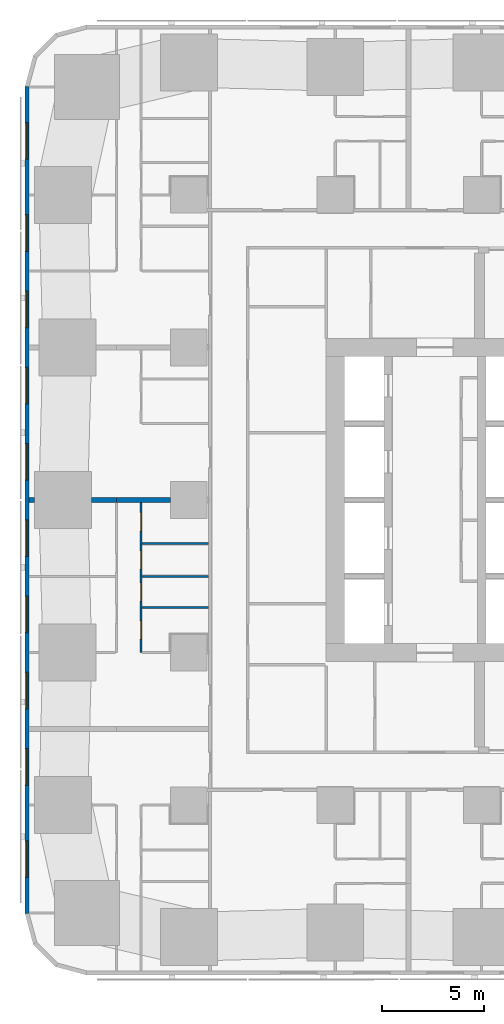
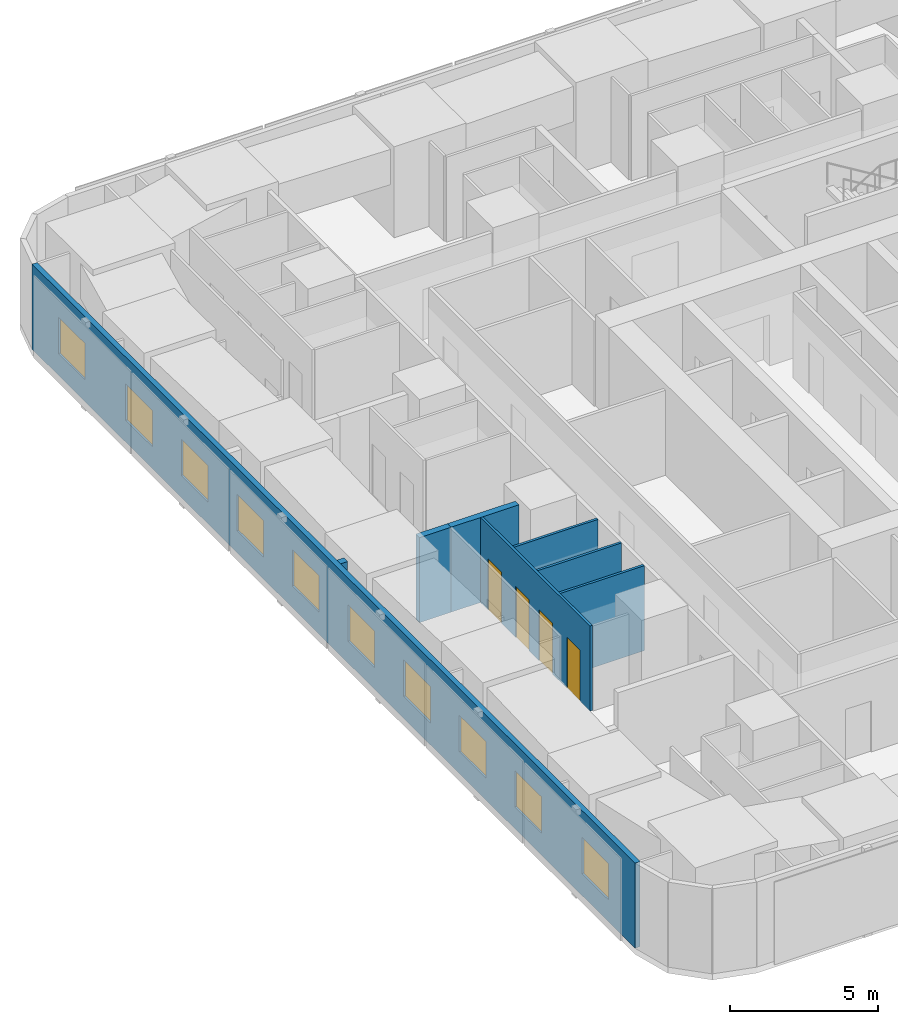
# One storey, part 4 of 16: 10 windows, 8 walls, 4 doors, 14 openings.
"""IFC4 building model written with IfcOpenShell, lengths in metres."""

from ifc_helpers import new_model, si_unit, direction, frame, frame_2d, origin, place, context, subcontext, project, spatial, rectangle, extrude, material, layer, layer_set, type_object, element, fill, save


model = new_model("IFC4")

# Units and contexts
model_context = context("Model", 3, precision=1e-05, world=origin(), true_north=direction((0.0, 1.0)))
body_context = subcontext(model_context, "Body", "Model", "MODEL_VIEW")
ifc_project = project(units=[si_unit("LENGTHUNIT", "METRE"), si_unit("AREAUNIT", "SQUARE_METRE"), si_unit("VOLUMEUNIT", "CUBIC_METRE"), si_unit("PLANEANGLEUNIT", "RADIAN"), si_unit("MASSUNIT", "GRAM", prefix="KILO")], contexts=[model_context])

# Site, building, storey
site_placement = place(None, origin())
site = spatial("IfcSite", under=ifc_project, at=site_placement, CompositionType="ELEMENT")
building_placement = place(site_placement, origin())
building = spatial("IfcBuilding", under=site, at=building_placement, Name="Sheger Commons Tower", CompositionType="ELEMENT")
storey_placement = place(building_placement, frame((0.0, 0.0, 61.25)))
storey = spatial("IfcBuildingStorey", under=building, at=storey_placement, Name="L15", CompositionType="ELEMENT", Elevation=61.25)

# Walls
ifc_material_1 = material(Name="Dense concrete block masonry, plastered both sides (separating wall between flats)", Category="masonry")
ifc_layer_1 = layer(ifc_material_1, 0.25)
ifc_layer_set_1 = layer_set([ifc_layer_1], Name="DEMISING WALL 250")
wall_type_1 = type_object("IfcWallType", Name="DEMISING WALL 250", PredefinedType="SOLIDWALL", material=ifc_layer_set_1)
wall_1_placement = place(storey_placement, frame((-0.64990234375, 22.5, 0.0), z_axis=(0.0, 0.0, 1.0), x_axis=(1.0, 0.0, 0.0)))
element("IfcWall", 1, at=wall_1_placement, inside=storey, type_object=wall_type_1, Name="Demising wall L15", PredefinedType="SOLIDWALL", context=body_context, shape_type="SweptSolid", body=[
    extrude(rectangle(XDim=0.27392578125, YDim=0.25, at=frame_2d((0.136962890625, 0.0))), origin(), (0.0, 0.0, 1.0), 3.5),
])
wall_2_placement = place(storey_placement, frame((2.426025390625, 22.5, 0.0), z_axis=(0.0, 0.0, 1.0), x_axis=(1.0, 0.0, 0.0)))
element("IfcWall", 2, at=wall_2_placement, inside=storey, type_object=wall_type_1, Name="Demising wall L15", PredefinedType="SOLIDWALL", context=body_context, shape_type="SweptSolid", body=[
    extrude(rectangle(XDim=1.223876953125, YDim=0.25, at=frame_2d((0.61181640625, 0.0))), origin(), (0.0, 0.0, 1.0), 3.5),
])
wall_3_placement = place(storey_placement, frame((3.64990234375, 22.5, 0.0), z_axis=(0.0, 0.0, 1.0), x_axis=(1.0, 0.0, 0.0)))
element("IfcWall", 3, at=wall_3_placement, inside=storey, type_object=wall_type_1, Name="Demising wall L15", PredefinedType="SOLIDWALL", context=body_context, shape_type="SweptSolid", body=[
    extrude(rectangle(XDim=2.649169921875, YDim=0.25, at=frame_2d((1.32470703125, 0.0))), origin(), (0.0, 0.0, 1.0), 3.5),
])

# Wall, openings, windows
ifc_material_2 = material(Name="Rendered concrete block masonry, dark grey", Category="masonry")
ifc_layer_2 = layer(ifc_material_2, 0.199951171875)
ifc_layer_set_2 = layer_set([ifc_layer_2], Name="FACADE WALL 200")
wall_type_2 = type_object("IfcWallType", Name="FACADE WALL 200", PredefinedType="SOLIDWALL", material=ifc_layer_set_2)
wall_4_placement = place(storey_placement, frame((-0.75, 42.8369140625, 0.0), z_axis=(0.0, 0.0, 1.0), x_axis=(0.0, -1.0, 0.0)))
wall_4 = element("IfcWall", 4, at=wall_4_placement, inside=storey, type_object=wall_type_2, Name="Facade wall L15", PredefinedType="SOLIDWALL", context=body_context, shape_type="SweptSolid", body=[
    extrude(rectangle(XDim=40.673828125, YDim=0.199951171875, at=frame_2d((20.3369140625, 0.0))), origin(), (0.0, 0.0, 1.0), 3.5),
])
opening_1_placement = place(wall_4_placement, frame((1.780029296875, 0.0, 0.89990234375)))
opening_1 = element("IfcOpeningElement", 5, at=opening_1_placement, cuts=wall_4, Name="Opening W2", PredefinedType="OPENING", context=body_context, shape_type="SweptSolid", body=[
    extrude(rectangle(XDim=1.800048828125, YDim=1.5, at=frame_2d((0.89990234375, 0.75))), frame((0.0, 0.10986328125, 0.0), z_axis=(0.0, -1.0, 0.0), x_axis=(1.0, 0.0, 0.0)), (0.0, 0.0, 1.0), 0.219970703125),
])
opening_2_placement = place(wall_4_placement, frame((6.31201171875, 0.0, 0.89990234375)))
opening_2 = element("IfcOpeningElement", 6, at=opening_2_placement, cuts=wall_4, Name="Opening W2", PredefinedType="OPENING", context=body_context, shape_type="SweptSolid", body=[
    extrude(rectangle(XDim=1.800048828125, YDim=1.5, at=frame_2d((0.89990234375, 0.75))), frame((0.0, 0.10986328125, 0.0), z_axis=(0.0, -1.0, 0.0), x_axis=(1.0, 0.0, 0.0)), (0.0, 0.0, 1.0), 0.219970703125),
])
opening_3_placement = place(wall_4_placement, frame((10.06201171875, 0.0, 0.89990234375)))
opening_3 = element("IfcOpeningElement", 7, at=opening_3_placement, cuts=wall_4, Name="Opening W2", PredefinedType="OPENING", context=body_context, shape_type="SweptSolid", body=[
    extrude(rectangle(XDim=1.800048828125, YDim=1.5, at=frame_2d((0.89990234375, 0.75))), frame((0.0, 0.10986328125, 0.0), z_axis=(0.0, -1.0, 0.0), x_axis=(1.0, 0.0, 0.0)), (0.0, 0.0, 1.0), 0.219970703125),
])
opening_4_placement = place(wall_4_placement, frame((13.81201171875, 0.0, 0.89990234375)))
opening_4 = element("IfcOpeningElement", 8, at=opening_4_placement, cuts=wall_4, Name="Opening W2", PredefinedType="OPENING", context=body_context, shape_type="SweptSolid", body=[
    extrude(rectangle(XDim=1.800048828125, YDim=1.5, at=frame_2d((0.89990234375, 0.75))), frame((0.0, 0.10986328125, 0.0), z_axis=(0.0, -1.0, 0.0), x_axis=(1.0, 0.0, 0.0)), (0.0, 0.0, 1.0), 0.219970703125),
])
opening_5_placement = place(wall_4_placement, frame((17.56201171875, 0.0, 0.89990234375)))
opening_5 = element("IfcOpeningElement", 9, at=opening_5_placement, cuts=wall_4, Name="Opening W2", PredefinedType="OPENING", context=body_context, shape_type="SweptSolid", body=[
    extrude(rectangle(XDim=1.800048828125, YDim=1.5, at=frame_2d((0.89990234375, 0.75))), frame((0.0, 0.10986328125, 0.0), z_axis=(0.0, -1.0, 0.0), x_axis=(1.0, 0.0, 0.0)), (0.0, 0.0, 1.0), 0.219970703125),
])
opening_6_placement = place(wall_4_placement, frame((21.31201171875, 0.0, 0.89990234375)))
opening_6 = element("IfcOpeningElement", 10, at=opening_6_placement, cuts=wall_4, Name="Opening W2", PredefinedType="OPENING", context=body_context, shape_type="SweptSolid", body=[
    extrude(rectangle(XDim=1.800048828125, YDim=1.5, at=frame_2d((0.89990234375, 0.75))), frame((0.0, 0.10986328125, 0.0), z_axis=(0.0, -1.0, 0.0), x_axis=(1.0, 0.0, 0.0)), (0.0, 0.0, 1.0), 0.219970703125),
])
opening_7_placement = place(wall_4_placement, frame((25.06201171875, 0.0, 0.89990234375)))
opening_7 = element("IfcOpeningElement", 11, at=opening_7_placement, cuts=wall_4, Name="Opening W2", PredefinedType="OPENING", context=body_context, shape_type="SweptSolid", body=[
    extrude(rectangle(XDim=1.800048828125, YDim=1.5, at=frame_2d((0.89990234375, 0.75))), frame((0.0, 0.10986328125, 0.0), z_axis=(0.0, -1.0, 0.0), x_axis=(1.0, 0.0, 0.0)), (0.0, 0.0, 1.0), 0.219970703125),
])
opening_8_placement = place(wall_4_placement, frame((28.81201171875, 0.0, 0.89990234375)))
opening_8 = element("IfcOpeningElement", 12, at=opening_8_placement, cuts=wall_4, Name="Opening W2", PredefinedType="OPENING", context=body_context, shape_type="SweptSolid", body=[
    extrude(rectangle(XDim=1.800048828125, YDim=1.5, at=frame_2d((0.89990234375, 0.75))), frame((0.0, 0.10986328125, 0.0), z_axis=(0.0, -1.0, 0.0), x_axis=(1.0, 0.0, 0.0)), (0.0, 0.0, 1.0), 0.219970703125),
])
opening_9_placement = place(wall_4_placement, frame((32.56201171875, 0.0, 0.89990234375)))
opening_9 = element("IfcOpeningElement", 13, at=opening_9_placement, cuts=wall_4, Name="Opening W2", PredefinedType="OPENING", context=body_context, shape_type="SweptSolid", body=[
    extrude(rectangle(XDim=1.800048828125, YDim=1.5, at=frame_2d((0.89990234375, 0.75))), frame((0.0, 0.10986328125, 0.0), z_axis=(0.0, -1.0, 0.0), x_axis=(1.0, 0.0, 0.0)), (0.0, 0.0, 1.0), 0.219970703125),
])
opening_10_placement = place(wall_4_placement, frame((37.093994140625, 0.0, 0.89990234375)))
opening_10 = element("IfcOpeningElement", 14, at=opening_10_placement, cuts=wall_4, Name="Opening W2", PredefinedType="OPENING", context=body_context, shape_type="SweptSolid", body=[
    extrude(rectangle(XDim=1.800048828125, YDim=1.5, at=frame_2d((0.89990234375, 0.75))), frame((0.0, 0.10986328125, 0.0), z_axis=(0.0, -1.0, 0.0), x_axis=(1.0, 0.0, 0.0)), (0.0, 0.0, 1.0), 0.219970703125),
])
ifc_material_3 = material(Name="Black aluminium frame, dark tinted double glazing", Category="aluminium")
window_type = type_object("IfcWindowType", Name="WINDOW W2 1800x1500", PartitioningType="SINGLE_PANEL", PredefinedType="WINDOW", material=ifc_material_3)
window_1_placement = place(opening_1_placement, origin())
window_1 = element("IfcWindow", 15, at=window_1_placement, inside=storey, type_object=window_type, Name="Window W2 1800X1500", OverallHeight=1.5, OverallWidth=1.800048828125, PartitioningType="SINGLE_PANEL", PredefinedType="WINDOW", context=body_context, shape_type="SweptSolid", body=[
    extrude(rectangle(XDim=1.800048828125, YDim=1.5, at=frame_2d((0.89990234375, 0.75))), frame((0.0, 0.030029296875, 0.0), z_axis=(0.0, -1.0, 0.0), x_axis=(1.0, 0.0, 0.0)), (0.0, 0.0, 1.0), 0.06005859375),
])
fill(opening_1, window_1)
window_2_placement = place(opening_2_placement, origin())
window_2 = element("IfcWindow", 16, at=window_2_placement, inside=storey, type_object=window_type, Name="Window W2 1800X1500", OverallHeight=1.5, OverallWidth=1.800048828125, PartitioningType="SINGLE_PANEL", PredefinedType="WINDOW", context=body_context, shape_type="SweptSolid", body=[
    extrude(rectangle(XDim=1.800048828125, YDim=1.5, at=frame_2d((0.89990234375, 0.75))), frame((0.0, 0.030029296875, 0.0), z_axis=(0.0, -1.0, 0.0), x_axis=(1.0, 0.0, 0.0)), (0.0, 0.0, 1.0), 0.06005859375),
])
fill(opening_2, window_2)
window_3_placement = place(opening_3_placement, origin())
window_3 = element("IfcWindow", 17, at=window_3_placement, inside=storey, type_object=window_type, Name="Window W2 1800X1500", OverallHeight=1.5, OverallWidth=1.800048828125, PartitioningType="SINGLE_PANEL", PredefinedType="WINDOW", context=body_context, shape_type="SweptSolid", body=[
    extrude(rectangle(XDim=1.800048828125, YDim=1.5, at=frame_2d((0.89990234375, 0.75))), frame((0.0, 0.030029296875, 0.0), z_axis=(0.0, -1.0, 0.0), x_axis=(1.0, 0.0, 0.0)), (0.0, 0.0, 1.0), 0.06005859375),
])
fill(opening_3, window_3)
window_4_placement = place(opening_4_placement, origin())
window_4 = element("IfcWindow", 18, at=window_4_placement, inside=storey, type_object=window_type, Name="Window W2 1800X1500", OverallHeight=1.5, OverallWidth=1.800048828125, PartitioningType="SINGLE_PANEL", PredefinedType="WINDOW", context=body_context, shape_type="SweptSolid", body=[
    extrude(rectangle(XDim=1.800048828125, YDim=1.5, at=frame_2d((0.89990234375, 0.75))), frame((0.0, 0.030029296875, 0.0), z_axis=(0.0, -1.0, 0.0), x_axis=(1.0, 0.0, 0.0)), (0.0, 0.0, 1.0), 0.06005859375),
])
fill(opening_4, window_4)
window_5_placement = place(opening_5_placement, origin())
window_5 = element("IfcWindow", 19, at=window_5_placement, inside=storey, type_object=window_type, Name="Window W2 1800X1500", OverallHeight=1.5, OverallWidth=1.800048828125, PartitioningType="SINGLE_PANEL", PredefinedType="WINDOW", context=body_context, shape_type="SweptSolid", body=[
    extrude(rectangle(XDim=1.800048828125, YDim=1.5, at=frame_2d((0.89990234375, 0.75))), frame((0.0, 0.030029296875, 0.0), z_axis=(0.0, -1.0, 0.0), x_axis=(1.0, 0.0, 0.0)), (0.0, 0.0, 1.0), 0.06005859375),
])
fill(opening_5, window_5)
window_6_placement = place(opening_6_placement, origin())
window_6 = element("IfcWindow", 20, at=window_6_placement, inside=storey, type_object=window_type, Name="Window W2 1800X1500", OverallHeight=1.5, OverallWidth=1.800048828125, PartitioningType="SINGLE_PANEL", PredefinedType="WINDOW", context=body_context, shape_type="SweptSolid", body=[
    extrude(rectangle(XDim=1.800048828125, YDim=1.5, at=frame_2d((0.89990234375, 0.75))), frame((0.0, 0.030029296875, 0.0), z_axis=(0.0, -1.0, 0.0), x_axis=(1.0, 0.0, 0.0)), (0.0, 0.0, 1.0), 0.06005859375),
])
fill(opening_6, window_6)
window_7_placement = place(opening_7_placement, origin())
window_7 = element("IfcWindow", 21, at=window_7_placement, inside=storey, type_object=window_type, Name="Window W2 1800X1500", OverallHeight=1.5, OverallWidth=1.800048828125, PartitioningType="SINGLE_PANEL", PredefinedType="WINDOW", context=body_context, shape_type="SweptSolid", body=[
    extrude(rectangle(XDim=1.800048828125, YDim=1.5, at=frame_2d((0.89990234375, 0.75))), frame((0.0, 0.030029296875, 0.0), z_axis=(0.0, -1.0, 0.0), x_axis=(1.0, 0.0, 0.0)), (0.0, 0.0, 1.0), 0.06005859375),
])
fill(opening_7, window_7)
window_8_placement = place(opening_8_placement, origin())
window_8 = element("IfcWindow", 22, at=window_8_placement, inside=storey, type_object=window_type, Name="Window W2 1800X1500", OverallHeight=1.5, OverallWidth=1.800048828125, PartitioningType="SINGLE_PANEL", PredefinedType="WINDOW", context=body_context, shape_type="SweptSolid", body=[
    extrude(rectangle(XDim=1.800048828125, YDim=1.5, at=frame_2d((0.89990234375, 0.75))), frame((0.0, 0.030029296875, 0.0), z_axis=(0.0, -1.0, 0.0), x_axis=(1.0, 0.0, 0.0)), (0.0, 0.0, 1.0), 0.06005859375),
])
fill(opening_8, window_8)
window_9_placement = place(opening_9_placement, origin())
window_9 = element("IfcWindow", 23, at=window_9_placement, inside=storey, type_object=window_type, Name="Window W2 1800X1500", OverallHeight=1.5, OverallWidth=1.800048828125, PartitioningType="SINGLE_PANEL", PredefinedType="WINDOW", context=body_context, shape_type="SweptSolid", body=[
    extrude(rectangle(XDim=1.800048828125, YDim=1.5, at=frame_2d((0.89990234375, 0.75))), frame((0.0, 0.030029296875, 0.0), z_axis=(0.0, -1.0, 0.0), x_axis=(1.0, 0.0, 0.0)), (0.0, 0.0, 1.0), 0.06005859375),
])
fill(opening_9, window_9)
window_10_placement = place(opening_10_placement, origin())
window_10 = element("IfcWindow", 24, at=window_10_placement, inside=storey, type_object=window_type, Name="Window W2 1800X1500", OverallHeight=1.5, OverallWidth=1.800048828125, PartitioningType="SINGLE_PANEL", PredefinedType="WINDOW", context=body_context, shape_type="SweptSolid", body=[
    extrude(rectangle(XDim=1.800048828125, YDim=1.5, at=frame_2d((0.89990234375, 0.75))), frame((0.0, 0.030029296875, 0.0), z_axis=(0.0, -1.0, 0.0), x_axis=(1.0, 0.0, 0.0)), (0.0, 0.0, 1.0), 0.06005859375),
])
fill(opening_10, window_10)

# Wall, openings, doors
ifc_material_4 = material(Name="Gypsum board on steel studs", Category="steel")
ifc_layer_3 = layer(ifc_material_4, 0.10009765625)
ifc_layer_set_3 = layer_set([ifc_layer_3], Name="PARTITION 100")
wall_type_3 = type_object("IfcWallType", Name="PARTITION 100", PredefinedType="PARTITIONING", material=ifc_layer_set_3)
wall_5_placement = place(storey_placement, frame((4.85009765625, 15.0, 0.0), z_axis=(0.0, 0.0, 1.0), x_axis=(0.0, 1.0, 0.0)))
wall_5 = element("IfcWall", 25, at=wall_5_placement, inside=storey, type_object=wall_type_3, Name="Partition L15", PredefinedType="PARTITIONING", context=body_context, shape_type="SweptSolid", body=[
    extrude(rectangle(XDim=7.375, YDim=0.10009765625, at=frame_2d((3.6875, 0.0))), origin(), (0.0, 0.0, 1.0), 3.5),
])
opening_11_placement = place(wall_5_placement, frame((0.655029296875, 0.0, 0.0)))
opening_11 = element("IfcOpeningElement", 26, at=opening_11_placement, cuts=wall_5, Name="Opening D2", PredefinedType="OPENING", context=body_context, shape_type="SweptSolid", body=[
    extrude(rectangle(XDim=0.89990234375, YDim=2.10009765625, at=frame_2d((0.449951171875, 1.050048828125))), frame((0.0, 0.06005859375, 0.0), z_axis=(0.0, -1.0, 0.0), x_axis=(1.0, 0.0, 0.0)), (0.0, 0.0, 1.0), 0.1201171875),
])
opening_12_placement = place(wall_5_placement, frame((4.10009765625, 0.0, 0.0)))
opening_12 = element("IfcOpeningElement", 27, at=opening_12_placement, cuts=wall_5, Name="Opening D2", PredefinedType="OPENING", context=body_context, shape_type="SweptSolid", body=[
    extrude(rectangle(XDim=0.89990234375, YDim=2.10009765625, at=frame_2d((0.449951171875, 1.050048828125))), frame((0.0, 0.06005859375, 0.0), z_axis=(0.0, -1.0, 0.0), x_axis=(1.0, 0.0, 0.0)), (0.0, 0.0, 1.0), 0.1201171875),
])
opening_13_placement = place(wall_5_placement, frame((2.530029296875, 0.0, 0.0)))
opening_13 = element("IfcOpeningElement", 28, at=opening_13_placement, cuts=wall_5, Name="Opening D2", PredefinedType="OPENING", context=body_context, shape_type="SweptSolid", body=[
    extrude(rectangle(XDim=0.89990234375, YDim=2.10009765625, at=frame_2d((0.449951171875, 1.050048828125))), frame((0.0, 0.06005859375, 0.0), z_axis=(0.0, -1.0, 0.0), x_axis=(1.0, 0.0, 0.0)), (0.0, 0.0, 1.0), 0.1201171875),
])
opening_14_placement = place(wall_5_placement, frame((5.97509765625, 0.0, 0.0)))
opening_14 = element("IfcOpeningElement", 29, at=opening_14_placement, cuts=wall_5, Name="Opening D2", PredefinedType="OPENING", context=body_context, shape_type="SweptSolid", body=[
    extrude(rectangle(XDim=0.89990234375, YDim=2.10009765625, at=frame_2d((0.449951171875, 1.050048828125))), frame((0.0, 0.06005859375, 0.0), z_axis=(0.0, -1.0, 0.0), x_axis=(1.0, 0.0, 0.0)), (0.0, 0.0, 1.0), 0.1201171875),
])
ifc_material_5 = material(Name="Timber door set", Category="wood")
door_type = type_object("IfcDoorType", Name="INTERNAL DOOR 900x2100", OperationType="NOTDEFINED", PredefinedType="DOOR", material=ifc_material_5)
door_1_placement = place(opening_11_placement, origin())
door_1 = element("IfcDoor", 30, at=door_1_placement, inside=storey, type_object=door_type, Name="Bathroom door", OperationType="SINGLE_SWING_RIGHT", OverallHeight=2.10009765625, OverallWidth=0.89990234375, PredefinedType="DOOR", context=body_context, shape_type="SweptSolid", body=[
    extrude(rectangle(XDim=0.89990234375, YDim=2.10009765625, at=frame_2d((0.449951171875, 1.050048828125))), frame((0.0, 0.02490234375, 0.0), z_axis=(0.0, -1.0, 0.0), x_axis=(1.0, 0.0, 0.0)), (0.0, 0.0, 1.0), 0.050048828125),
])
fill(opening_11, door_1)
door_2_placement = place(opening_12_placement, origin())
door_2 = element("IfcDoor", 31, at=door_2_placement, inside=storey, type_object=door_type, Name="Shower room door", OperationType="SINGLE_SWING_RIGHT", OverallHeight=2.10009765625, OverallWidth=0.89990234375, PredefinedType="DOOR", context=body_context, shape_type="SweptSolid", body=[
    extrude(rectangle(XDim=0.89990234375, YDim=2.10009765625, at=frame_2d((0.449951171875, 1.050048828125))), frame((0.0, 0.02490234375, 0.0), z_axis=(0.0, -1.0, 0.0), x_axis=(1.0, 0.0, 0.0)), (0.0, 0.0, 1.0), 0.050048828125),
])
fill(opening_12, door_2)
door_3_placement = place(opening_13_placement, origin())
door_3 = element("IfcDoor", 32, at=door_3_placement, inside=storey, type_object=door_type, Name="Store door", OperationType="SINGLE_SWING_RIGHT", OverallHeight=2.10009765625, OverallWidth=0.89990234375, PredefinedType="DOOR", context=body_context, shape_type="SweptSolid", body=[
    extrude(rectangle(XDim=0.89990234375, YDim=2.10009765625, at=frame_2d((0.449951171875, 1.050048828125))), frame((0.0, 0.02490234375, 0.0), z_axis=(0.0, -1.0, 0.0), x_axis=(1.0, 0.0, 0.0)), (0.0, 0.0, 1.0), 0.050048828125),
])
fill(opening_13, door_3)
door_4_placement = place(opening_14_placement, origin())
door_4 = element("IfcDoor", 33, at=door_4_placement, inside=storey, type_object=door_type, Name="Store door", OperationType="SINGLE_SWING_LEFT", OverallHeight=2.10009765625, OverallWidth=0.89990234375, PredefinedType="DOOR", context=body_context, shape_type="SweptSolid", body=[
    extrude(rectangle(XDim=0.89990234375, YDim=2.10009765625, at=frame_2d((0.449951171875, 1.050048828125))), frame((0.0, 0.02490234375, 0.0), z_axis=(0.0, -1.0, 0.0), x_axis=(1.0, 0.0, 0.0)), (0.0, 0.0, 1.0), 0.050048828125),
])
fill(opening_14, door_4)

# Walls
for number, where, z_axis, x_axis, name in (
    (34, (4.89990234375, 18.75, 0.0), (0.0, 0.0, 1.0), (1.0, 0.0, 0.0), "Partition L15"),
    (35, (4.89990234375, 17.2099609375, 0.0), (0.0, 0.0, 1.0), (1.0, 0.0, 0.0), "Partition L15"),
    (36, (4.89990234375, 20.35009765625, 0.0), (0.0, 0.0, 1.0), (1.0, 0.0, 0.0), "Partition L15"),
):
    element("IfcWall", number, at=place(storey_placement, frame(where, z_axis=z_axis, x_axis=x_axis)), inside=storey, type_object=wall_type_3, Name=name, PredefinedType="PARTITIONING", context=body_context, shape_type="SweptSolid", body=[
        extrude(rectangle(XDim=3.275146484375, YDim=0.10009765625, at=frame_2d((1.6376953125, 0.0))), origin(), (0.0, 0.0, 1.0), 3.5),
    ])

save(model, "model.ifc")
